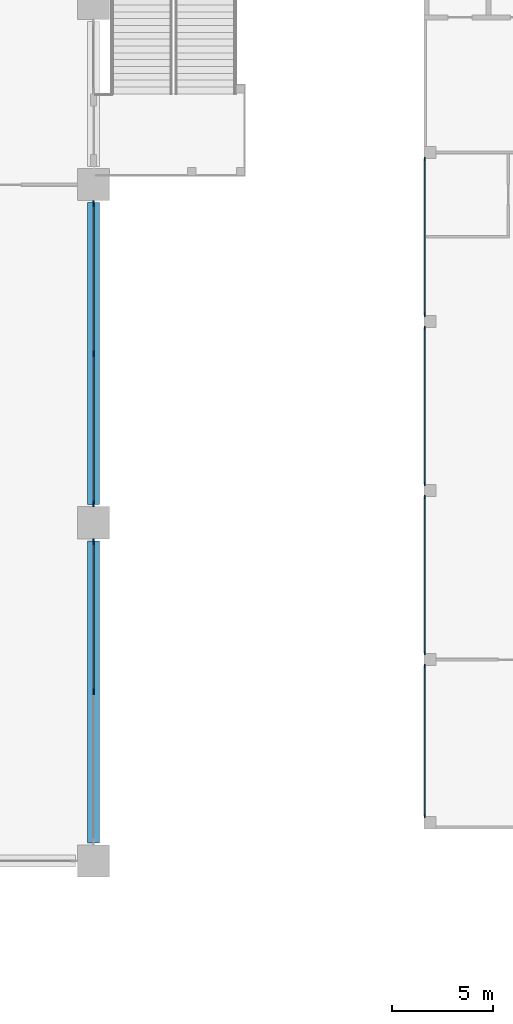
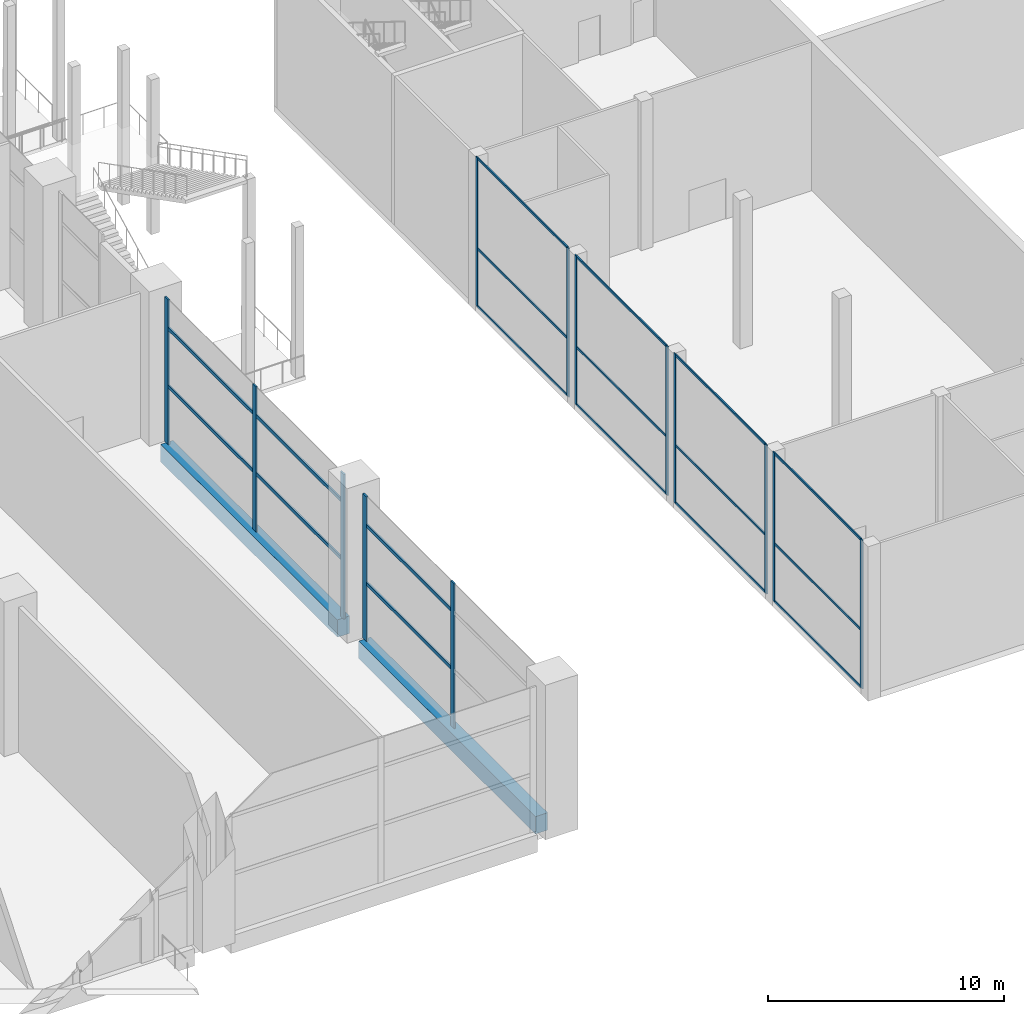
# One storey, part 8 of 52: 31 members, 2 beams, 6 elements without a shape of their own.
"""IFC4 building model written with IfcOpenShell, lengths in metres."""

from ifc_helpers import new_model, si_unit, direction, frame, origin, origin_2d, place, context, subcontext, project, spatial, rectangle, extrude, material, material_profile, profile_set, type_object, element, aggregate, save


model = new_model("IFC4")

# Units and contexts
model_context = context("Model", 3, precision=1e-05, world=origin(), true_north=direction((0.0, 1.0)))
body_context = subcontext(model_context, "Body", "Model", "MODEL_VIEW")
ifc_project = project(units=[si_unit("LENGTHUNIT", "METRE"), si_unit("AREAUNIT", "SQUARE_METRE"), si_unit("VOLUMEUNIT", "CUBIC_METRE"), si_unit("PLANEANGLEUNIT", "RADIAN"), si_unit("MASSUNIT", "GRAM", prefix="KILO")], contexts=[model_context])

# Site, building, storey
site_placement = place(None, origin())
site = spatial("IfcSite", under=ifc_project, at=site_placement, CompositionType="ELEMENT")
building_placement = place(site_placement, origin())
building = spatial("IfcBuilding", under=site, at=building_placement, Name="Candeia Pilgrim Tower and Theatre", CompositionType="ELEMENT")
storey_placement = place(building_placement, frame((0.0, 0.0, 9.0)))
storey = spatial("IfcBuildingStorey", under=building, at=storey_placement, Name="L01", CompositionType="ELEMENT", Elevation=9.0)

# Curtain wall, members
ifc_material_1 = material(Name="Aluminium framed podium glazing", Category="aluminium")
curtain_wall_type_1 = type_object("IfcCurtainWallType", Name="CW-P curtain wall", PredefinedType="NOTDEFINED", material=ifc_material_1)
curtain_wall_1_placement = place(storey_placement, origin())
curtain_wall_1 = element("IfcCurtainWall", 1, at=curtain_wall_1_placement, inside=storey, type_object=curtain_wall_type_1, Name="Curtain wall CW-P L01.250", PredefinedType="NOTDEFINED")
ifc_material_2 = material(Name="Anodised aluminium", Category="aluminium")
ifc_material_profile_1 = material_profile(ifc_material_2, rectangle(XDim=0.080078125, YDim=0.300048828125, at=origin_2d()))
ifc_profile_set_1 = profile_set([ifc_material_profile_1], Name="Anodised aluminium")
member_type_1 = type_object("IfcMemberType", Name="CW-P mullion 80x300", PredefinedType="MULLION", material=ifc_profile_set_1)
member_1_placement = place(storey_placement, frame((159.60009765625, 97.050048828125, 0.0), z_axis=(0.0, 0.0, 1.0), x_axis=(1.0, 0.0, 0.0)))
member_1 = element("IfcMember", 2, at=member_1_placement, type_object=member_type_1, Name="CW-P mullion 1", PredefinedType="MULLION", context=body_context, shape_type="SweptSolid", body=[
    extrude(rectangle(XDim=0.080078125, YDim=0.300048828125, at=origin_2d()), origin(), (0.0, 0.0, 1.0), 7.5),
])
member_2_placement = place(storey_placement, frame((159.60009765625, 89.60009765625, 0.0), z_axis=(0.0, 0.0, 1.0), x_axis=(1.0, 0.0, 0.0)))
member_2 = element("IfcMember", 3, at=member_2_placement, type_object=member_type_1, Name="CW-P mullion 2", PredefinedType="MULLION", context=body_context, shape_type="SweptSolid", body=[
    extrude(rectangle(XDim=0.080078125, YDim=0.300048828125, at=origin_2d()), origin(), (0.0, 0.0, 1.0), 7.5),
])
member_3_placement = place(storey_placement, frame((159.60009765625, 82.14990234375, 0.0), z_axis=(0.0, 0.0, 1.0), x_axis=(1.0, 0.0, 0.0)))
member_3 = element("IfcMember", 4, at=member_3_placement, type_object=member_type_1, Name="CW-P mullion 3", PredefinedType="MULLION", context=body_context, shape_type="SweptSolid", body=[
    extrude(rectangle(XDim=0.080078125, YDim=0.300048828125, at=origin_2d()), origin(), (0.0, 0.0, 1.0), 7.5),
])

curtain_wall_2_placement = place(storey_placement, origin())
curtain_wall_2 = element("IfcCurtainWall", 5, at=curtain_wall_2_placement, inside=storey, type_object=curtain_wall_type_1, Name="Curtain wall CW-P L01.260", PredefinedType="NOTDEFINED")
member_4_placement = place(storey_placement, frame((159.60009765625, 80.25, 0.0), z_axis=(0.0, 0.0, 1.0), x_axis=(1.0, 0.0, 0.0)))
member_4 = element("IfcMember", 6, at=member_4_placement, type_object=member_type_1, Name="CW-P mullion 1", PredefinedType="MULLION", context=body_context, shape_type="SweptSolid", body=[
    extrude(rectangle(XDim=0.080078125, YDim=0.300048828125, at=origin_2d()), origin(), (0.0, 0.0, 1.0), 7.5),
])
member_5_placement = place(storey_placement, frame((159.60009765625, 72.800048828125, 0.0), z_axis=(0.0, 0.0, 1.0), x_axis=(1.0, 0.0, 0.0)))
member_5 = element("IfcMember", 7, at=member_5_placement, type_object=member_type_1, Name="CW-P mullion 2", PredefinedType="MULLION", context=body_context, shape_type="SweptSolid", body=[
    extrude(rectangle(XDim=0.080078125, YDim=0.300048828125, at=origin_2d()), origin(), (0.0, 0.0, 1.0), 7.5),
])

# Member
ifc_material_profile_2 = material_profile(ifc_material_2, rectangle(XDim=0.080078125, YDim=0.179931640625, at=origin_2d()))
ifc_profile_set_2 = profile_set([ifc_material_profile_2], Name="Anodised aluminium")
member_type_2 = type_object("IfcMemberType", Name="CW-P transom 80x180", PredefinedType="USERDEFINED", material=ifc_profile_set_2)
member_6_placement = place(storey_placement, frame((159.60009765625, 97.010009765625, 3.0), z_axis=(0.0, -1.0, 0.0), x_axis=(1.0, 0.0, 0.0)))
member_6 = element("IfcMember", 8, at=member_6_placement, type_object=member_type_2, Name="CW-P transom 1.1", ObjectType="TRANSOM", PredefinedType="USERDEFINED", context=body_context, shape_type="SweptSolid", body=[
    extrude(rectangle(XDim=0.080078125, YDim=0.179931640625, at=origin_2d()), origin(), (0.0, 0.0, 1.0), 7.3701171875),
])

member_7_placement = place(storey_placement, frame((159.60009765625, 97.010009765625, 6.0), z_axis=(0.0, -1.0, 0.0), x_axis=(1.0, 0.0, 0.0)))
member_7 = element("IfcMember", 9, at=member_7_placement, type_object=member_type_2, Name="CW-P transom 1.2", ObjectType="TRANSOM", PredefinedType="USERDEFINED", context=body_context, shape_type="SweptSolid", body=[
    extrude(rectangle(XDim=0.080078125, YDim=0.179931640625, at=origin_2d()), origin(), (0.0, 0.0, 1.0), 7.3701171875),
])

member_8_placement = place(storey_placement, frame((159.60009765625, 89.56005859375, 3.0), z_axis=(0.0, -1.0, 0.0), x_axis=(1.0, 0.0, 0.0)))
member_8 = element("IfcMember", 10, at=member_8_placement, type_object=member_type_2, Name="CW-P transom 2.1", ObjectType="TRANSOM", PredefinedType="USERDEFINED", context=body_context, shape_type="SweptSolid", body=[
    extrude(rectangle(XDim=0.080078125, YDim=0.179931640625, at=origin_2d()), origin(), (0.0, 0.0, 1.0), 7.3701171875),
])

member_9_placement = place(storey_placement, frame((159.60009765625, 89.56005859375, 6.0), z_axis=(0.0, -1.0, 0.0), x_axis=(1.0, 0.0, 0.0)))
member_9 = element("IfcMember", 11, at=member_9_placement, type_object=member_type_2, Name="CW-P transom 2.2", ObjectType="TRANSOM", PredefinedType="USERDEFINED", context=body_context, shape_type="SweptSolid", body=[
    extrude(rectangle(XDim=0.080078125, YDim=0.179931640625, at=origin_2d()), origin(), (0.0, 0.0, 1.0), 7.3701171875),
])

aggregate(curtain_wall_1, [member_1, member_2, member_3, member_6, member_7, member_8, member_9])

member_10_placement = place(storey_placement, frame((159.60009765625, 80.2099609375, 3.0), z_axis=(0.0, -1.0, 0.0), x_axis=(1.0, 0.0, 0.0)))
member_10 = element("IfcMember", 12, at=member_10_placement, type_object=member_type_2, Name="CW-P transom 1.1", ObjectType="TRANSOM", PredefinedType="USERDEFINED", context=body_context, shape_type="SweptSolid", body=[
    extrude(rectangle(XDim=0.080078125, YDim=0.179931640625, at=origin_2d()), origin(), (0.0, 0.0, 1.0), 7.369873046875),
])

member_11_placement = place(storey_placement, frame((159.60009765625, 80.2099609375, 6.0), z_axis=(0.0, -1.0, 0.0), x_axis=(1.0, 0.0, 0.0)))
member_11 = element("IfcMember", 13, at=member_11_placement, type_object=member_type_2, Name="CW-P transom 1.2", ObjectType="TRANSOM", PredefinedType="USERDEFINED", context=body_context, shape_type="SweptSolid", body=[
    extrude(rectangle(XDim=0.080078125, YDim=0.179931640625, at=origin_2d()), origin(), (0.0, 0.0, 1.0), 7.369873046875),
])

aggregate(curtain_wall_2, [member_4, member_5, member_10, member_11])

# Curtain wall, members
ifc_material_3 = material(Name="Aluminium curtain wall system", Category="aluminium")
curtain_wall_type_2 = type_object("IfcCurtainWallType", Name="Curtain wall CW-T", PredefinedType="NOTDEFINED", material=ifc_material_3)
curtain_wall_3_placement = place(storey_placement, origin())
curtain_wall_3 = element("IfcCurtainWall", 14, at=curtain_wall_3_placement, inside=storey, type_object=curtain_wall_type_2, Name="Foyer curtain wall L01 1", PredefinedType="NOTDEFINED")
ifc_material_4 = material(Name="Aluminium 6063-T6", Category="aluminium")
ifc_material_profile_3 = material_profile(ifc_material_4, rectangle(XDim=0.06005859375, YDim=0.179931640625, at=origin_2d()))
ifc_profile_set_3 = profile_set([ifc_material_profile_3], Name="Aluminium 6063-T6")
member_type_3 = type_object("IfcMemberType", Name="Mullion CW-T 60x180", PredefinedType="MULLION", material=ifc_profile_set_3)
member_12_placement = place(storey_placement, frame((176.050048828125, 66.6298828125, 0.0), z_axis=(0.0, 0.0, 1.0), x_axis=(-1.0, 0.0, 0.0)))
member_12 = element("IfcMember", 15, at=member_12_placement, type_object=member_type_3, Name="CW-T mullion 1", PredefinedType="MULLION", context=body_context, shape_type="SweptSolid", body=[
    extrude(rectangle(XDim=0.06005859375, YDim=0.179931640625, at=origin_2d()), origin(), (0.0, 0.0, 1.0), 7.699951171875),
])
member_13_placement = place(storey_placement, frame((176.050048828125, 74.070068359375, 0.0), z_axis=(0.0, 0.0, 1.0), x_axis=(-1.0, 0.0, 0.0)))
member_13 = element("IfcMember", 16, at=member_13_placement, type_object=member_type_3, Name="CW-T mullion 2", PredefinedType="MULLION", context=body_context, shape_type="SweptSolid", body=[
    extrude(rectangle(XDim=0.06005859375, YDim=0.179931640625, at=origin_2d()), origin(), (0.0, 0.0, 1.0), 7.699951171875),
])

curtain_wall_4_placement = place(storey_placement, origin())
curtain_wall_4 = element("IfcCurtainWall", 17, at=curtain_wall_4_placement, inside=storey, type_object=curtain_wall_type_2, Name="Foyer curtain wall L01 2", PredefinedType="NOTDEFINED")
member_14_placement = place(storey_placement, frame((176.050048828125, 74.72998046875, 0.0), z_axis=(0.0, 0.0, 1.0), x_axis=(-1.0, 0.0, 0.0)))
member_14 = element("IfcMember", 18, at=member_14_placement, type_object=member_type_3, Name="CW-T mullion 1", PredefinedType="MULLION", context=body_context, shape_type="SweptSolid", body=[
    extrude(rectangle(XDim=0.06005859375, YDim=0.179931640625, at=origin_2d()), origin(), (0.0, 0.0, 1.0), 7.699951171875),
])
member_15_placement = place(storey_placement, frame((176.050048828125, 82.469970703125, 0.0), z_axis=(0.0, 0.0, 1.0), x_axis=(-1.0, 0.0, 0.0)))
member_15 = element("IfcMember", 19, at=member_15_placement, type_object=member_type_3, Name="CW-T mullion 2", PredefinedType="MULLION", context=body_context, shape_type="SweptSolid", body=[
    extrude(rectangle(XDim=0.06005859375, YDim=0.179931640625, at=origin_2d()), origin(), (0.0, 0.0, 1.0), 7.699951171875),
])

curtain_wall_5_placement = place(storey_placement, origin())
curtain_wall_5 = element("IfcCurtainWall", 20, at=curtain_wall_5_placement, inside=storey, type_object=curtain_wall_type_2, Name="Foyer curtain wall L01 3", PredefinedType="NOTDEFINED")
member_16_placement = place(storey_placement, frame((176.050048828125, 83.1298828125, 0.0), z_axis=(0.0, 0.0, 1.0), x_axis=(-1.0, 0.0, 0.0)))
member_16 = element("IfcMember", 21, at=member_16_placement, type_object=member_type_3, Name="CW-T mullion 1", PredefinedType="MULLION", context=body_context, shape_type="SweptSolid", body=[
    extrude(rectangle(XDim=0.06005859375, YDim=0.179931640625, at=origin_2d()), origin(), (0.0, 0.0, 1.0), 7.699951171875),
])
member_17_placement = place(storey_placement, frame((176.050048828125, 90.8701171875, 0.0), z_axis=(0.0, 0.0, 1.0), x_axis=(-1.0, 0.0, 0.0)))
member_17 = element("IfcMember", 22, at=member_17_placement, type_object=member_type_3, Name="CW-T mullion 2", PredefinedType="MULLION", context=body_context, shape_type="SweptSolid", body=[
    extrude(rectangle(XDim=0.06005859375, YDim=0.179931640625, at=origin_2d()), origin(), (0.0, 0.0, 1.0), 7.699951171875),
])

curtain_wall_6_placement = place(storey_placement, origin())
curtain_wall_6 = element("IfcCurtainWall", 23, at=curtain_wall_6_placement, inside=storey, type_object=curtain_wall_type_2, Name="Foyer curtain wall L01 4", PredefinedType="NOTDEFINED")
member_18_placement = place(storey_placement, frame((176.050048828125, 91.530029296875, 0.0), z_axis=(0.0, 0.0, 1.0), x_axis=(-1.0, 0.0, 0.0)))
member_18 = element("IfcMember", 24, at=member_18_placement, type_object=member_type_3, Name="CW-T mullion 1", PredefinedType="MULLION", context=body_context, shape_type="SweptSolid", body=[
    extrude(rectangle(XDim=0.06005859375, YDim=0.179931640625, at=origin_2d()), origin(), (0.0, 0.0, 1.0), 7.699951171875),
])
member_19_placement = place(storey_placement, frame((176.050048828125, 99.27001953125, 0.0), z_axis=(0.0, 0.0, 1.0), x_axis=(-1.0, 0.0, 0.0)))
member_19 = element("IfcMember", 25, at=member_19_placement, type_object=member_type_3, Name="CW-T mullion 2", PredefinedType="MULLION", context=body_context, shape_type="SweptSolid", body=[
    extrude(rectangle(XDim=0.06005859375, YDim=0.179931640625, at=origin_2d()), origin(), (0.0, 0.0, 1.0), 7.699951171875),
])

# Beams
ifc_material_5 = material(Name="Concrete C80/95", Category="concrete")
ifc_material_profile_4 = material_profile(ifc_material_5, rectangle(XDim=0.60009765625, YDim=0.89990234375, at=origin_2d()))
ifc_profile_set_4 = profile_set([ifc_material_profile_4], Name="Concrete C80/95")
beam_type = type_object("IfcBeamType", Name="RC 600x900 C80/95", PredefinedType="BEAM", material=ifc_profile_set_4)
for number, where, z_axis, x_axis, name in (
    (26, (159.60009765625, 65.300048828125, -0.449951171875), (0.0, 1.0, 0.0), (-1.0, 0.0, 0.0), "Spandrel beam L01-01"),
    (27, (159.60009765625, 82.10009765625, -0.449951171875), (0.0, 1.0, 0.0), (-1.0, 0.0, 0.0), "Spandrel beam L01-02"),
):
    element("IfcBeam", number, at=place(storey_placement, frame(where, z_axis=z_axis, x_axis=x_axis)), inside=storey, type_object=beam_type, Name=name, PredefinedType="BEAM", context=body_context, shape_type="SweptSolid", body=[
        extrude(rectangle(XDim=0.60009765625, YDim=0.89990234375, at=origin_2d()), origin(), (0.0, 0.0, 1.0), 15.0),
    ])

# Member
ifc_material_profile_5 = material_profile(ifc_material_4, rectangle(XDim=0.06005859375, YDim=0.1201171875, at=origin_2d()))
ifc_profile_set_5 = profile_set([ifc_material_profile_5], Name="Aluminium 6063-T6")
member_type_4 = type_object("IfcMemberType", Name="Transom CW-T 60x120", PredefinedType="USERDEFINED", material=ifc_profile_set_5)
member_20_placement = place(storey_placement, frame((176.050048828125, 66.659912109375, 0.030029296875), z_axis=(0.0, 1.0, 0.0), x_axis=(-1.0, 0.0, 0.0)))
member_20 = element("IfcMember", 28, at=member_20_placement, type_object=member_type_4, Name="CW-T transom 1.1", ObjectType="TRANSOM", PredefinedType="USERDEFINED", context=body_context, shape_type="SweptSolid", body=[
    extrude(rectangle(XDim=0.06005859375, YDim=0.1201171875, at=origin_2d()), origin(), (0.0, 0.0, 1.0), 7.380126953125),
])

member_21_placement = place(storey_placement, frame((176.050048828125, 66.659912109375, 3.0), z_axis=(0.0, 1.0, 0.0), x_axis=(-1.0, 0.0, 0.0)))
member_21 = element("IfcMember", 29, at=member_21_placement, type_object=member_type_4, Name="CW-T transom 1.2", ObjectType="TRANSOM", PredefinedType="USERDEFINED", context=body_context, shape_type="SweptSolid", body=[
    extrude(rectangle(XDim=0.06005859375, YDim=0.1201171875, at=origin_2d()), origin(), (0.0, 0.0, 1.0), 7.380126953125),
])

member_22_placement = place(storey_placement, frame((176.050048828125, 66.659912109375, 7.669921875), z_axis=(0.0, 1.0, 0.0), x_axis=(-1.0, 0.0, 0.0)))
member_22 = element("IfcMember", 30, at=member_22_placement, type_object=member_type_4, Name="CW-T transom 1.3", ObjectType="TRANSOM", PredefinedType="USERDEFINED", context=body_context, shape_type="SweptSolid", body=[
    extrude(rectangle(XDim=0.06005859375, YDim=0.1201171875, at=origin_2d()), origin(), (0.0, 0.0, 1.0), 7.380126953125),
])

aggregate(curtain_wall_3, [member_12, member_13, member_20, member_21, member_22])

member_23_placement = place(storey_placement, frame((176.050048828125, 74.760009765625, 0.030029296875), z_axis=(0.0, 1.0, 0.0), x_axis=(-1.0, 0.0, 0.0)))
member_23 = element("IfcMember", 31, at=member_23_placement, type_object=member_type_4, Name="CW-T transom 1.1", ObjectType="TRANSOM", PredefinedType="USERDEFINED", context=body_context, shape_type="SweptSolid", body=[
    extrude(rectangle(XDim=0.06005859375, YDim=0.1201171875, at=origin_2d()), origin(), (0.0, 0.0, 1.0), 7.679931640625),
])

member_24_placement = place(storey_placement, frame((176.050048828125, 74.760009765625, 3.0), z_axis=(0.0, 1.0, 0.0), x_axis=(-1.0, 0.0, 0.0)))
member_24 = element("IfcMember", 32, at=member_24_placement, type_object=member_type_4, Name="CW-T transom 1.2", ObjectType="TRANSOM", PredefinedType="USERDEFINED", context=body_context, shape_type="SweptSolid", body=[
    extrude(rectangle(XDim=0.06005859375, YDim=0.1201171875, at=origin_2d()), origin(), (0.0, 0.0, 1.0), 7.679931640625),
])

member_25_placement = place(storey_placement, frame((176.050048828125, 74.760009765625, 7.669921875), z_axis=(0.0, 1.0, 0.0), x_axis=(-1.0, 0.0, 0.0)))
member_25 = element("IfcMember", 33, at=member_25_placement, type_object=member_type_4, Name="CW-T transom 1.3", ObjectType="TRANSOM", PredefinedType="USERDEFINED", context=body_context, shape_type="SweptSolid", body=[
    extrude(rectangle(XDim=0.06005859375, YDim=0.1201171875, at=origin_2d()), origin(), (0.0, 0.0, 1.0), 7.679931640625),
])

aggregate(curtain_wall_4, [member_14, member_15, member_23, member_24, member_25])

member_26_placement = place(storey_placement, frame((176.050048828125, 83.159912109375, 0.030029296875), z_axis=(0.0, 1.0, 0.0), x_axis=(-1.0, 0.0, 0.0)))
member_26 = element("IfcMember", 34, at=member_26_placement, type_object=member_type_4, Name="CW-T transom 1.1", ObjectType="TRANSOM", PredefinedType="USERDEFINED", context=body_context, shape_type="SweptSolid", body=[
    extrude(rectangle(XDim=0.06005859375, YDim=0.1201171875, at=origin_2d()), origin(), (0.0, 0.0, 1.0), 7.68017578125),
])

member_27_placement = place(storey_placement, frame((176.050048828125, 83.159912109375, 3.0), z_axis=(0.0, 1.0, 0.0), x_axis=(-1.0, 0.0, 0.0)))
member_27 = element("IfcMember", 35, at=member_27_placement, type_object=member_type_4, Name="CW-T transom 1.2", ObjectType="TRANSOM", PredefinedType="USERDEFINED", context=body_context, shape_type="SweptSolid", body=[
    extrude(rectangle(XDim=0.06005859375, YDim=0.1201171875, at=origin_2d()), origin(), (0.0, 0.0, 1.0), 7.68017578125),
])

member_28_placement = place(storey_placement, frame((176.050048828125, 83.159912109375, 7.669921875), z_axis=(0.0, 1.0, 0.0), x_axis=(-1.0, 0.0, 0.0)))
member_28 = element("IfcMember", 36, at=member_28_placement, type_object=member_type_4, Name="CW-T transom 1.3", ObjectType="TRANSOM", PredefinedType="USERDEFINED", context=body_context, shape_type="SweptSolid", body=[
    extrude(rectangle(XDim=0.06005859375, YDim=0.1201171875, at=origin_2d()), origin(), (0.0, 0.0, 1.0), 7.68017578125),
])

aggregate(curtain_wall_5, [member_16, member_17, member_26, member_27, member_28])

member_29_placement = place(storey_placement, frame((176.050048828125, 91.56005859375, 0.030029296875), z_axis=(0.0, 1.0, 0.0), x_axis=(-1.0, 0.0, 0.0)))
member_29 = element("IfcMember", 37, at=member_29_placement, type_object=member_type_4, Name="CW-T transom 1.1", ObjectType="TRANSOM", PredefinedType="USERDEFINED", context=body_context, shape_type="SweptSolid", body=[
    extrude(rectangle(XDim=0.06005859375, YDim=0.1201171875, at=origin_2d()), origin(), (0.0, 0.0, 1.0), 7.679931640625),
])

member_30_placement = place(storey_placement, frame((176.050048828125, 91.56005859375, 3.0), z_axis=(0.0, 1.0, 0.0), x_axis=(-1.0, 0.0, 0.0)))
member_30 = element("IfcMember", 38, at=member_30_placement, type_object=member_type_4, Name="CW-T transom 1.2", ObjectType="TRANSOM", PredefinedType="USERDEFINED", context=body_context, shape_type="SweptSolid", body=[
    extrude(rectangle(XDim=0.06005859375, YDim=0.1201171875, at=origin_2d()), origin(), (0.0, 0.0, 1.0), 7.679931640625),
])

member_31_placement = place(storey_placement, frame((176.050048828125, 91.56005859375, 7.669921875), z_axis=(0.0, 1.0, 0.0), x_axis=(-1.0, 0.0, 0.0)))
member_31 = element("IfcMember", 39, at=member_31_placement, type_object=member_type_4, Name="CW-T transom 1.3", ObjectType="TRANSOM", PredefinedType="USERDEFINED", context=body_context, shape_type="SweptSolid", body=[
    extrude(rectangle(XDim=0.06005859375, YDim=0.1201171875, at=origin_2d()), origin(), (0.0, 0.0, 1.0), 7.679931640625),
])

aggregate(curtain_wall_6, [member_18, member_19, member_29, member_30, member_31])

save(model, "model.ifc")
